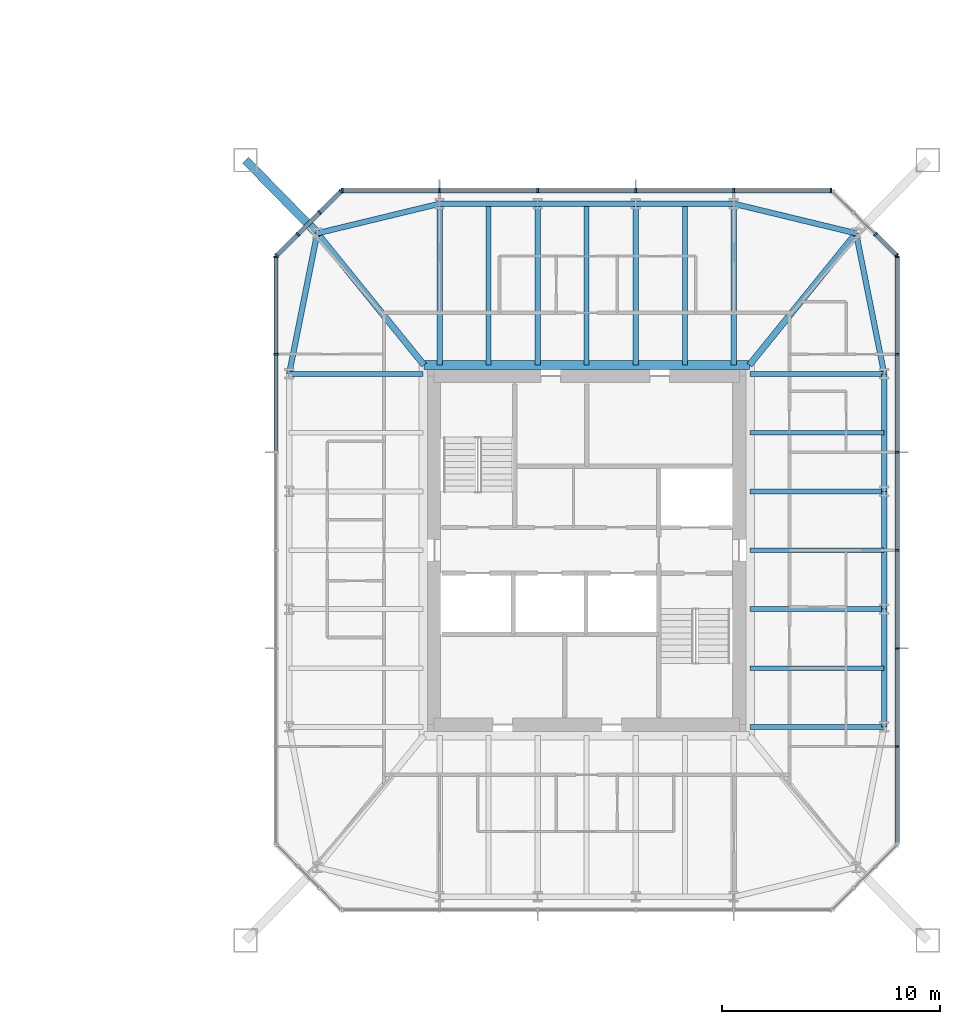
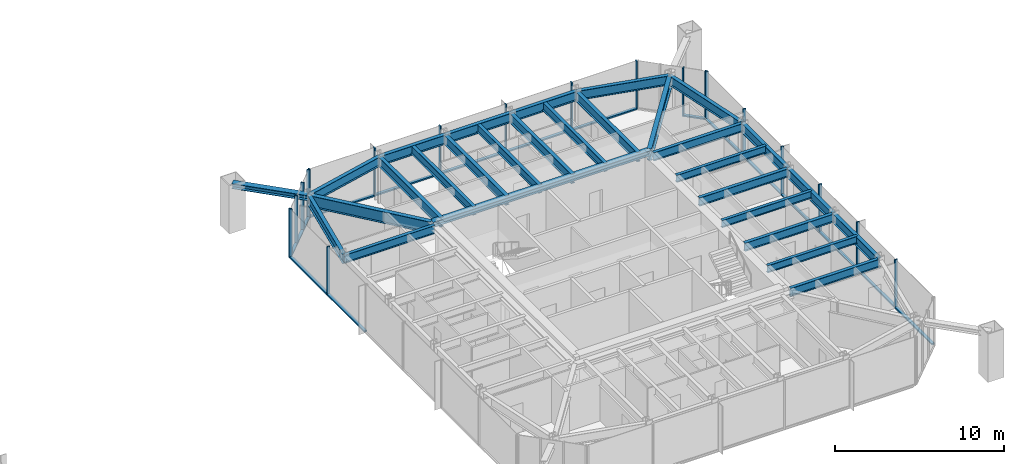
# One storey, part 9 of 25: 38 members, 28 beams, 5 elements without a shape of their own.
"""IFC4 building model written with IfcOpenShell, lengths in metres."""

from ifc_helpers import new_model, si_unit, direction, frame, origin, origin_2d, place, context, subcontext, project, spatial, rectangle, i_section, extrude, material, material_profile, profile_set, type_object, element, aggregate, save


model = new_model("IFC4")

# Units and contexts
model_context = context("Model", 3, precision=1e-05, world=origin(), true_north=direction((0.0, 1.0)))
body_context = subcontext(model_context, "Body", "Model", "MODEL_VIEW")
ifc_project = project(units=[si_unit("LENGTHUNIT", "METRE"), si_unit("AREAUNIT", "SQUARE_METRE"), si_unit("VOLUMEUNIT", "CUBIC_METRE"), si_unit("PLANEANGLEUNIT", "RADIAN"), si_unit("MASSUNIT", "GRAM", prefix="KILO")], contexts=[model_context])

# Site, building, storey
site_placement = place(None, origin())
site = spatial("IfcSite", under=ifc_project, at=site_placement, CompositionType="ELEMENT")
building_placement = place(site_placement, origin())
building = spatial("IfcBuilding", under=site, at=building_placement, Name="Iwan Alto Co-Living Towers", CompositionType="ELEMENT")
storey_placement = place(building_placement, frame((0.0, 0.0, 105.0)))
storey = spatial("IfcBuildingStorey", under=building, at=storey_placement, Name="L28", CompositionType="ELEMENT", Elevation=105.0)

# Curtain wall, members
ifc_material_1 = material(Name="Bronze aluminium unitised frame", Category="aluminium")
curtain_wall_type_1 = type_object("IfcCurtainWallType", Name="CURTAIN WALL CW-C", PredefinedType="NOTDEFINED", material=ifc_material_1)
curtain_wall_1_placement = place(storey_placement, origin())
curtain_wall_1 = element("IfcCurtainWall", 1, at=curtain_wall_1_placement, inside=storey, type_object=curtain_wall_type_1, Name="T2 curtain wall E L28", PredefinedType="NOTDEFINED")
ifc_material_2 = material(Name="Aluminium 6063-T6 bronze anodised", Category="aluminium")
ifc_material_profile_1 = material_profile(ifc_material_2, rectangle(XDim=0.199951171875, YDim=0.080078125, at=origin_2d()), Name="AL 80X200")
ifc_profile_set_1 = profile_set([ifc_material_profile_1], Name="Aluminium 6063-T6 bronze anodised")
member_type_1 = type_object("IfcMemberType", Name="CW-C MULLION 80X200", PredefinedType="MULLION", material=ifc_profile_set_1)
member_1_placement = place(storey_placement, frame((77.25, -9.0, 0.0), z_axis=(0.0, 0.0, 1.0), x_axis=(-1.0, 0.0, 0.0)))
member_1 = element("IfcMember", 2, at=member_1_placement, type_object=member_type_1, Name="CW-C mullion 2", PredefinedType="MULLION", context=body_context, shape_type="SweptSolid", body=[
    extrude(rectangle(XDim=0.199951171875, YDim=0.080078125, at=origin_2d()), origin(), (0.0, 0.0, 1.0), 3.5),
])
member_2_placement = place(storey_placement, frame((77.25, -4.5, 0.0), z_axis=(0.0, 0.0, 1.0), x_axis=(-1.0, 0.0, 0.0)))
member_2 = element("IfcMember", 3, at=member_2_placement, type_object=member_type_1, Name="CW-C mullion 3", PredefinedType="MULLION", context=body_context, shape_type="SweptSolid", body=[
    extrude(rectangle(XDim=0.199951171875, YDim=0.080078125, at=origin_2d()), origin(), (0.0, 0.0, 1.0), 3.5),
])
member_3_placement = place(storey_placement, frame((77.25, 0.0, 0.0), z_axis=(0.0, 0.0, 1.0), x_axis=(-1.0, 0.0, 0.0)))
member_3 = element("IfcMember", 4, at=member_3_placement, type_object=member_type_1, Name="CW-C mullion 4", PredefinedType="MULLION", context=body_context, shape_type="SweptSolid", body=[
    extrude(rectangle(XDim=0.199951171875, YDim=0.080078125, at=origin_2d()), origin(), (0.0, 0.0, 1.0), 3.5),
])
member_4_placement = place(storey_placement, frame((77.25, 4.5, 0.0), z_axis=(0.0, 0.0, 1.0), x_axis=(-1.0, 0.0, 0.0)))
member_4 = element("IfcMember", 5, at=member_4_placement, type_object=member_type_1, Name="CW-C mullion 5", PredefinedType="MULLION", context=body_context, shape_type="SweptSolid", body=[
    extrude(rectangle(XDim=0.199951171875, YDim=0.080078125, at=origin_2d()), origin(), (0.0, 0.0, 1.0), 3.5),
])
member_5_placement = place(storey_placement, frame((77.25, 9.0, 0.0), z_axis=(0.0, 0.0, 1.0), x_axis=(-1.0, 0.0, 0.0)))
member_5 = element("IfcMember", 6, at=member_5_placement, type_object=member_type_1, Name="CW-C mullion 6", PredefinedType="MULLION", context=body_context, shape_type="SweptSolid", body=[
    extrude(rectangle(XDim=0.199951171875, YDim=0.080078125, at=origin_2d()), origin(), (0.0, 0.0, 1.0), 3.5),
])
member_6_placement = place(storey_placement, frame((77.25, 13.4599609375, 0.0), z_axis=(0.0, 0.0, 1.0), x_axis=(-1.0, 0.0, 0.0)))
member_6 = element("IfcMember", 7, at=member_6_placement, type_object=member_type_1, Name="CW-C mullion 7", PredefinedType="MULLION", context=body_context, shape_type="SweptSolid", body=[
    extrude(rectangle(XDim=0.199951171875, YDim=0.080078125, at=origin_2d()), origin(), (0.0, 0.0, 1.0), 3.5),
])

curtain_wall_2_placement = place(storey_placement, origin())
curtain_wall_2 = element("IfcCurtainWall", 8, at=curtain_wall_2_placement, inside=storey, type_object=curtain_wall_type_1, Name="T2 curtain wall N L28", PredefinedType="NOTDEFINED")
member_7_placement = place(storey_placement, frame((74.2099609375, 16.5, 0.0), z_axis=(0.0, 0.0, 1.0), x_axis=(0.0, -1.0, 0.0)))
member_7 = element("IfcMember", 9, at=member_7_placement, type_object=member_type_1, Name="CW-C mullion 1", PredefinedType="MULLION", context=body_context, shape_type="SweptSolid", body=[
    extrude(rectangle(XDim=0.199951171875, YDim=0.080078125, at=origin_2d()), origin(), (0.0, 0.0, 1.0), 3.5),
])
member_8_placement = place(storey_placement, frame((69.75, 16.5, 0.0), z_axis=(0.0, 0.0, 1.0), x_axis=(0.0, -1.0, 0.0)))
member_8 = element("IfcMember", 10, at=member_8_placement, type_object=member_type_1, Name="CW-C mullion 2", PredefinedType="MULLION", context=body_context, shape_type="SweptSolid", body=[
    extrude(rectangle(XDim=0.199951171875, YDim=0.080078125, at=origin_2d()), origin(), (0.0, 0.0, 1.0), 3.5),
])
member_9_placement = place(storey_placement, frame((65.25, 16.5, 0.0), z_axis=(0.0, 0.0, 1.0), x_axis=(0.0, -1.0, 0.0)))
member_9 = element("IfcMember", 11, at=member_9_placement, type_object=member_type_1, Name="CW-C mullion 3", PredefinedType="MULLION", context=body_context, shape_type="SweptSolid", body=[
    extrude(rectangle(XDim=0.199951171875, YDim=0.080078125, at=origin_2d()), origin(), (0.0, 0.0, 1.0), 3.5),
])
member_10_placement = place(storey_placement, frame((60.75, 16.5, 0.0), z_axis=(0.0, 0.0, 1.0), x_axis=(0.0, -1.0, 0.0)))
member_10 = element("IfcMember", 12, at=member_10_placement, type_object=member_type_1, Name="CW-C mullion 4", PredefinedType="MULLION", context=body_context, shape_type="SweptSolid", body=[
    extrude(rectangle(XDim=0.199951171875, YDim=0.080078125, at=origin_2d()), origin(), (0.0, 0.0, 1.0), 3.5),
])
member_11_placement = place(storey_placement, frame((56.25, 16.5, 0.0), z_axis=(0.0, 0.0, 1.0), x_axis=(0.0, -1.0, 0.0)))
member_11 = element("IfcMember", 13, at=member_11_placement, type_object=member_type_1, Name="CW-C mullion 5", PredefinedType="MULLION", context=body_context, shape_type="SweptSolid", body=[
    extrude(rectangle(XDim=0.199951171875, YDim=0.080078125, at=origin_2d()), origin(), (0.0, 0.0, 1.0), 3.5),
])
member_12_placement = place(storey_placement, frame((51.7900390625, 16.5, 0.0), z_axis=(0.0, 0.0, 1.0), x_axis=(0.0, -1.0, 0.0)))
member_12 = element("IfcMember", 14, at=member_12_placement, type_object=member_type_1, Name="CW-C mullion 6", PredefinedType="MULLION", context=body_context, shape_type="SweptSolid", body=[
    extrude(rectangle(XDim=0.199951171875, YDim=0.080078125, at=origin_2d()), origin(), (0.0, 0.0, 1.0), 3.5),
])

curtain_wall_3_placement = place(storey_placement, origin())
curtain_wall_3 = element("IfcCurtainWall", 15, at=curtain_wall_3_placement, inside=storey, type_object=curtain_wall_type_1, Name="T2 curtain wall W L28", PredefinedType="NOTDEFINED")
member_13_placement = place(storey_placement, frame((48.75, 13.4599609375, 0.0), z_axis=(0.0, 0.0, 1.0), x_axis=(1.0, 0.0, 0.0)))
member_13 = element("IfcMember", 16, at=member_13_placement, type_object=member_type_1, Name="CW-C mullion 1", PredefinedType="MULLION", context=body_context, shape_type="SweptSolid", body=[
    extrude(rectangle(XDim=0.199951171875, YDim=0.080078125, at=origin_2d()), origin(), (0.0, 0.0, 1.0), 3.5),
])
member_14_placement = place(storey_placement, frame((48.75, 9.0, 0.0), z_axis=(0.0, 0.0, 1.0), x_axis=(1.0, 0.0, 0.0)))
member_14 = element("IfcMember", 17, at=member_14_placement, type_object=member_type_1, Name="CW-C mullion 2", PredefinedType="MULLION", context=body_context, shape_type="SweptSolid", body=[
    extrude(rectangle(XDim=0.199951171875, YDim=0.080078125, at=origin_2d()), origin(), (0.0, 0.0, 1.0), 3.5),
])

# Member
ifc_material_3 = material(Name="Aluminium 6063-T6 bronze anodised", Category="aluminium")
ifc_material_profile_2 = material_profile(ifc_material_3, rectangle(XDim=0.199951171875, YDim=0.10009765625, at=origin_2d()), Name="AL 200X100")
ifc_profile_set_2 = profile_set([ifc_material_profile_2], Name="Aluminium 6063-T6 bronze anodised")
member_type_2 = type_object("IfcMemberType", Name="CW-C TRANSOM 200X100", PredefinedType="USERDEFINED", material=ifc_profile_set_2)
member_15_placement = place(storey_placement, frame((77.25, -13.419921875, 0.050048828125), z_axis=(0.0, 1.0, 0.0), x_axis=(-1.0, 0.0, 0.0)))
member_15 = element("IfcMember", 18, at=member_15_placement, type_object=member_type_2, Name="CW-C transom 1.1", ObjectType="TRANSOM", PredefinedType="USERDEFINED", context=body_context, shape_type="SweptSolid", body=[
    extrude(rectangle(XDim=0.199951171875, YDim=0.10009765625, at=origin_2d()), origin(), (0.0, 0.0, 1.0), 4.3798828125),
])

member_16_placement = place(storey_placement, frame((77.25, -8.9599609375, 0.050048828125), z_axis=(0.0, 1.0, 0.0), x_axis=(-1.0, 0.0, 0.0)))
member_16 = element("IfcMember", 19, at=member_16_placement, type_object=member_type_2, Name="CW-C transom 2.1", ObjectType="TRANSOM", PredefinedType="USERDEFINED", context=body_context, shape_type="SweptSolid", body=[
    extrude(rectangle(XDim=0.199951171875, YDim=0.10009765625, at=origin_2d()), origin(), (0.0, 0.0, 1.0), 4.419921875),
])

member_17_placement = place(storey_placement, frame((77.25, -4.4599609375, 0.050048828125), z_axis=(0.0, 1.0, 0.0), x_axis=(-1.0, 0.0, 0.0)))
member_17 = element("IfcMember", 20, at=member_17_placement, type_object=member_type_2, Name="CW-C transom 3.1", ObjectType="TRANSOM", PredefinedType="USERDEFINED", context=body_context, shape_type="SweptSolid", body=[
    extrude(rectangle(XDim=0.199951171875, YDim=0.10009765625, at=origin_2d()), origin(), (0.0, 0.0, 1.0), 4.419921875),
])

member_18_placement = place(storey_placement, frame((77.25, 0.0400390625, 0.050048828125), z_axis=(0.0, 1.0, 0.0), x_axis=(-1.0, 0.0, 0.0)))
member_18 = element("IfcMember", 21, at=member_18_placement, type_object=member_type_2, Name="CW-C transom 4.1", ObjectType="TRANSOM", PredefinedType="USERDEFINED", context=body_context, shape_type="SweptSolid", body=[
    extrude(rectangle(XDim=0.199951171875, YDim=0.10009765625, at=origin_2d()), origin(), (0.0, 0.0, 1.0), 4.419921875),
])

member_19_placement = place(storey_placement, frame((77.25, 4.5400390625, 0.050048828125), z_axis=(0.0, 1.0, 0.0), x_axis=(-1.0, 0.0, 0.0)))
member_19 = element("IfcMember", 22, at=member_19_placement, type_object=member_type_2, Name="CW-C transom 5.1", ObjectType="TRANSOM", PredefinedType="USERDEFINED", context=body_context, shape_type="SweptSolid", body=[
    extrude(rectangle(XDim=0.199951171875, YDim=0.10009765625, at=origin_2d()), origin(), (0.0, 0.0, 1.0), 4.419921875),
])

member_20_placement = place(storey_placement, frame((77.25, 9.0400390625, 0.050048828125), z_axis=(0.0, 1.0, 0.0), x_axis=(-1.0, 0.0, 0.0)))
member_20 = element("IfcMember", 23, at=member_20_placement, type_object=member_type_2, Name="CW-C transom 6.1", ObjectType="TRANSOM", PredefinedType="USERDEFINED", context=body_context, shape_type="SweptSolid", body=[
    extrude(rectangle(XDim=0.199951171875, YDim=0.10009765625, at=origin_2d()), origin(), (0.0, 0.0, 1.0), 4.3798828125),
])

aggregate(curtain_wall_1, [member_1, member_2, member_3, member_4, member_5, member_6, member_15, member_16, member_17, member_18, member_19, member_20])

member_21_placement = place(storey_placement, frame((74.169921875, 16.5, 0.050048828125), z_axis=(-1.0, 0.0, 0.0), x_axis=(0.0, -1.0, 0.0)))
member_21 = element("IfcMember", 24, at=member_21_placement, type_object=member_type_2, Name="CW-C transom 1.1", ObjectType="TRANSOM", PredefinedType="USERDEFINED", context=body_context, shape_type="SweptSolid", body=[
    extrude(rectangle(XDim=0.199951171875, YDim=0.10009765625, at=origin_2d()), origin(), (0.0, 0.0, 1.0), 4.3798828125),
])

member_22_placement = place(storey_placement, frame((69.7099609375, 16.5, 0.050048828125), z_axis=(-1.0, 0.0, 0.0), x_axis=(0.0, -1.0, 0.0)))
member_22 = element("IfcMember", 25, at=member_22_placement, type_object=member_type_2, Name="CW-C transom 2.1", ObjectType="TRANSOM", PredefinedType="USERDEFINED", context=body_context, shape_type="SweptSolid", body=[
    extrude(rectangle(XDim=0.199951171875, YDim=0.10009765625, at=origin_2d()), origin(), (0.0, 0.0, 1.0), 4.419921875),
])

member_23_placement = place(storey_placement, frame((65.2099609375, 16.5, 0.050048828125), z_axis=(-1.0, 0.0, 0.0), x_axis=(0.0, -1.0, 0.0)))
member_23 = element("IfcMember", 26, at=member_23_placement, type_object=member_type_2, Name="CW-C transom 3.1", ObjectType="TRANSOM", PredefinedType="USERDEFINED", context=body_context, shape_type="SweptSolid", body=[
    extrude(rectangle(XDim=0.199951171875, YDim=0.10009765625, at=origin_2d()), origin(), (0.0, 0.0, 1.0), 4.419921875),
])

member_24_placement = place(storey_placement, frame((60.7099609375, 16.5, 0.050048828125), z_axis=(-1.0, 0.0, 0.0), x_axis=(0.0, -1.0, 0.0)))
member_24 = element("IfcMember", 27, at=member_24_placement, type_object=member_type_2, Name="CW-C transom 4.1", ObjectType="TRANSOM", PredefinedType="USERDEFINED", context=body_context, shape_type="SweptSolid", body=[
    extrude(rectangle(XDim=0.199951171875, YDim=0.10009765625, at=origin_2d()), origin(), (0.0, 0.0, 1.0), 4.419921875),
])

member_25_placement = place(storey_placement, frame((56.2099609375, 16.5, 0.050048828125), z_axis=(-1.0, 0.0, 0.0), x_axis=(0.0, -1.0, 0.0)))
member_25 = element("IfcMember", 28, at=member_25_placement, type_object=member_type_2, Name="CW-C transom 5.1", ObjectType="TRANSOM", PredefinedType="USERDEFINED", context=body_context, shape_type="SweptSolid", body=[
    extrude(rectangle(XDim=0.199951171875, YDim=0.10009765625, at=origin_2d()), origin(), (0.0, 0.0, 1.0), 4.3798828125),
])

aggregate(curtain_wall_2, [member_7, member_8, member_9, member_10, member_11, member_12, member_21, member_22, member_23, member_24, member_25])

member_26_placement = place(storey_placement, frame((48.75, 13.419921875, 0.050048828125), z_axis=(0.0, -1.0, 0.0), x_axis=(1.0, 0.0, 0.0)))
member_26 = element("IfcMember", 29, at=member_26_placement, type_object=member_type_2, Name="CW-C transom 1.1", ObjectType="TRANSOM", PredefinedType="USERDEFINED", context=body_context, shape_type="SweptSolid", body=[
    extrude(rectangle(XDim=0.199951171875, YDim=0.10009765625, at=origin_2d()), origin(), (0.0, 0.0, 1.0), 4.3798828125),
])

member_27_placement = place(storey_placement, frame((48.75, 8.9599609375, 0.050048828125), z_axis=(0.0, -1.0, 0.0), x_axis=(1.0, 0.0, 0.0)))
member_27 = element("IfcMember", 30, at=member_27_placement, type_object=member_type_2, Name="CW-C transom 2.1", ObjectType="TRANSOM", PredefinedType="USERDEFINED", context=body_context, shape_type="SweptSolid", body=[
    extrude(rectangle(XDim=0.199951171875, YDim=0.10009765625, at=origin_2d()), origin(), (0.0, 0.0, 1.0), 4.419921875),
])

aggregate(curtain_wall_3, [member_13, member_14, member_26, member_27])

# Curtain wall, members
ifc_material_4 = material(Name="Bronze aluminium unitised frame", Category="aluminium")
curtain_wall_type_2 = type_object("IfcCurtainWallType", Name="CURTAIN WALL CW-D", PredefinedType="NOTDEFINED", material=ifc_material_4)
curtain_wall_4_placement = place(storey_placement, origin())
curtain_wall_4 = element("IfcCurtainWall", 31, at=curtain_wall_4_placement, inside=storey, type_object=curtain_wall_type_2, Name="T2 chamfer curtain wall NE L28", PredefinedType="NOTDEFINED")
ifc_material_5 = material(Name="Aluminium 6063-T6 bronze anodised", Category="aluminium")
ifc_material_profile_3 = material_profile(ifc_material_5, rectangle(XDim=0.199951171875, YDim=0.080078125, at=origin_2d()), Name="AL 80X200")
ifc_profile_set_3 = profile_set([ifc_material_profile_3], Name="Aluminium 6063-T6 bronze anodised")
member_type_3 = type_object("IfcMemberType", Name="CW-D MULLION 80X200", PredefinedType="MULLION", material=ifc_profile_set_3)
member_28_placement = place(storey_placement, frame((77.2216796875, 13.5283203125, 0.0), z_axis=(0.0, 0.0, 1.0), x_axis=(-0.707106781187, -0.707106781187, 0.0)))
member_28 = element("IfcMember", 32, at=member_28_placement, type_object=member_type_3, Name="CW-D mullion 1", PredefinedType="MULLION", context=body_context, shape_type="SweptSolid", body=[
    extrude(rectangle(XDim=0.199951171875, YDim=0.080078125, at=origin_2d()), origin(), (0.0, 0.0, 1.0), 3.5),
])
member_29_placement = place(storey_placement, frame((76.25, 14.5, 0.0), z_axis=(0.0, 0.0, 1.0), x_axis=(-0.707106781187, -0.707106781187, 0.0)))
member_29 = element("IfcMember", 33, at=member_29_placement, type_object=member_type_3, Name="CW-D mullion 2", PredefinedType="MULLION", context=body_context, shape_type="SweptSolid", body=[
    extrude(rectangle(XDim=0.199951171875, YDim=0.080078125, at=origin_2d()), origin(), (0.0, 0.0, 1.0), 3.5),
])

curtain_wall_5_placement = place(storey_placement, origin())
curtain_wall_5 = element("IfcCurtainWall", 34, at=curtain_wall_5_placement, inside=storey, type_object=curtain_wall_type_2, Name="T2 chamfer curtain wall NW L28", PredefinedType="NOTDEFINED")
member_30_placement = place(storey_placement, frame((51.7216796875, 16.4716796875, 0.0), z_axis=(0.0, 0.0, 1.0), x_axis=(0.707106781187, -0.707106781187, 0.0)))
member_30 = element("IfcMember", 35, at=member_30_placement, type_object=member_type_3, Name="CW-D mullion 1", PredefinedType="MULLION", context=body_context, shape_type="SweptSolid", body=[
    extrude(rectangle(XDim=0.199951171875, YDim=0.080078125, at=origin_2d()), origin(), (0.0, 0.0, 1.0), 3.5),
])
member_31_placement = place(storey_placement, frame((50.75, 15.5, 0.0), z_axis=(0.0, 0.0, 1.0), x_axis=(0.707106781187, -0.707106781187, 0.0)))
member_31 = element("IfcMember", 36, at=member_31_placement, type_object=member_type_3, Name="CW-D mullion 2", PredefinedType="MULLION", context=body_context, shape_type="SweptSolid", body=[
    extrude(rectangle(XDim=0.199951171875, YDim=0.080078125, at=origin_2d()), origin(), (0.0, 0.0, 1.0), 3.5),
])
member_32_placement = place(storey_placement, frame((49.75, 14.5, 0.0), z_axis=(0.0, 0.0, 1.0), x_axis=(0.707106781187, -0.707106781187, 0.0)))
member_32 = element("IfcMember", 37, at=member_32_placement, type_object=member_type_3, Name="CW-D mullion 3", PredefinedType="MULLION", context=body_context, shape_type="SweptSolid", body=[
    extrude(rectangle(XDim=0.199951171875, YDim=0.080078125, at=origin_2d()), origin(), (0.0, 0.0, 1.0), 3.5),
])
member_33_placement = place(storey_placement, frame((48.7783203125, 13.5283203125, 0.0), z_axis=(0.0, 0.0, 1.0), x_axis=(0.707106781187, -0.707106781187, 0.0)))
member_33 = element("IfcMember", 38, at=member_33_placement, type_object=member_type_3, Name="CW-D mullion 4", PredefinedType="MULLION", context=body_context, shape_type="SweptSolid", body=[
    extrude(rectangle(XDim=0.199951171875, YDim=0.080078125, at=origin_2d()), origin(), (0.0, 0.0, 1.0), 3.5),
])

# Member
ifc_material_6 = material(Name="Aluminium 6063-T6 bronze anodised", Category="aluminium")
ifc_material_profile_4 = material_profile(ifc_material_6, rectangle(XDim=0.199951171875, YDim=0.10009765625, at=origin_2d()), Name="AL 200X100")
ifc_profile_set_4 = profile_set([ifc_material_profile_4], Name="Aluminium 6063-T6 bronze anodised")
member_type_4 = type_object("IfcMemberType", Name="CW-D TRANSOM 200X100", PredefinedType="USERDEFINED", material=ifc_profile_set_4)
member_34_placement = place(storey_placement, frame((77.193359375, 13.556640625, 0.050048828125), z_axis=(-0.707106781187, 0.707106781187, 0.0), x_axis=(-0.707106781187, -0.707106781187, 0.0)))
member_34 = element("IfcMember", 39, at=member_34_placement, type_object=member_type_4, Name="CW-D transom 1.1", ObjectType="TRANSOM", PredefinedType="USERDEFINED", context=body_context, shape_type="SweptSolid", body=[
    extrude(rectangle(XDim=0.199951171875, YDim=0.10009765625, at=origin_2d()), origin(), (0.0, 0.0, 1.0), 1.2939453125),
])

aggregate(curtain_wall_4, [member_28, member_29, member_34])

member_35_placement = place(storey_placement, frame((51.693359375, 16.443359375, 0.050048828125), z_axis=(-0.707106781187, -0.707106781187, 0.0), x_axis=(0.707106781187, -0.707106781187, 0.0)))
member_35 = element("IfcMember", 40, at=member_35_placement, type_object=member_type_4, Name="CW-D transom 1.1", ObjectType="TRANSOM", PredefinedType="USERDEFINED", context=body_context, shape_type="SweptSolid", body=[
    extrude(rectangle(XDim=0.199951171875, YDim=0.10009765625, at=origin_2d()), origin(), (0.0, 0.0, 1.0), 1.2939453125),
])

member_36_placement = place(storey_placement, frame((50.7216796875, 15.4716796875, 0.050048828125), z_axis=(-0.707106781187, -0.707106781187, 0.0), x_axis=(0.707106781187, -0.707106781187, 0.0)))
member_36 = element("IfcMember", 41, at=member_36_placement, type_object=member_type_4, Name="CW-D transom 2.1", ObjectType="TRANSOM", PredefinedType="USERDEFINED", context=body_context, shape_type="SweptSolid", body=[
    extrude(rectangle(XDim=0.199951171875, YDim=0.10009765625, at=origin_2d()), origin(), (0.0, 0.0, 1.0), 1.334228515625),
])

member_37_placement = place(storey_placement, frame((49.7216796875, 14.4716796875, 0.050048828125), z_axis=(-0.707106781187, -0.707106781187, 0.0), x_axis=(0.707106781187, -0.707106781187, 0.0)))
member_37 = element("IfcMember", 42, at=member_37_placement, type_object=member_type_4, Name="CW-D transom 3.1", ObjectType="TRANSOM", PredefinedType="USERDEFINED", context=body_context, shape_type="SweptSolid", body=[
    extrude(rectangle(XDim=0.199951171875, YDim=0.10009765625, at=origin_2d()), origin(), (0.0, 0.0, 1.0), 1.2939453125),
])

aggregate(curtain_wall_5, [member_30, member_31, member_32, member_33, member_35, member_36, member_37])

# Beams
ifc_material_7 = material(Name="Steel ASTM A992 Gr 50", Category="steel")
ifc_material_profile_5 = material_profile(ifc_material_7, i_section(OverallWidth=0.398681640625, OverallDepth=0.385986328125, WebThickness=0.02099609375, FlangeThickness=0.033203125, at=origin_2d()), Name="W14X176")
ifc_profile_set_5 = profile_set([ifc_material_profile_5], Name="Steel ASTM A992 Gr 50")
beam_type_1 = type_object("IfcBeamType", Name="T2 CORE LEDGER BEAM W14X176", PredefinedType="BEAM", material=ifc_profile_set_5)
beam_1_placement = place(storey_placement, frame((70.461669921875, 8.49951171875, 3.076904296875), z_axis=(-1.0, 0.0, 0.0), x_axis=(0.0, -1.0, 0.0)))
element("IfcBeam", 43, at=beam_1_placement, inside=storey, type_object=beam_type_1, Name="T2 core ledger beam N L29", PredefinedType="BEAM", context=body_context, shape_type="SweptSolid", body=[
    extrude(i_section(OverallWidth=0.398681640625, OverallDepth=0.385986328125, WebThickness=0.02099609375, FlangeThickness=0.033203125, at=origin_2d()), origin(), (0.0, 0.0, 1.0), 14.92333984375),
])
ifc_material_8 = material(Name="Steel ASTM A992 Gr 50", Category="steel")
ifc_material_profile_6 = material_profile(ifc_material_8, i_section(OverallWidth=0.2919921875, OverallDepth=0.8408203125, WebThickness=0.0146484375, FlangeThickness=0.021728515625, at=origin_2d()), Name="W33X130")
ifc_profile_set_6 = profile_set([ifc_material_profile_6], Name="Steel ASTM A992 Gr 50")
beam_type_2 = type_object("IfcBeamType", Name="T2 CORNER GIRDER W33X130", PredefinedType="BEAM", material=ifc_profile_set_6)
for number, where, z_axis, x_axis, name in (
    (44, (75.361328125, 14.542724609375, 2.849609375), (-0.629783024592, -0.776771100091, 0.0), (0.776771100091, -0.629783024592, 0.0), "T2 corner girder CNE L29"),
    (45, (50.638671875, 14.542724609375, 2.849609375), (0.629783024592, -0.776771100091, 0.0), (0.776771100091, 0.629783024592, 0.0), "T2 corner girder CNW L29"),
):
    element("IfcBeam", number, at=place(storey_placement, frame(where, z_axis=z_axis, x_axis=x_axis)), inside=storey, type_object=beam_type_2, Name=name, PredefinedType="BEAM", context=body_context, shape_type="SweptSolid", body=[
        extrude(i_section(OverallWidth=0.2919921875, OverallDepth=0.8408203125, WebThickness=0.0146484375, FlangeThickness=0.021728515625, at=origin_2d()), origin(), (0.0, 0.0, 1.0), 7.780029296875),
    ])
ifc_material_9 = material(Name="Steel ASTM A992 Gr 50", Category="steel")
ifc_material_profile_7 = material_profile(ifc_material_9, i_section(OverallWidth=0.25390625, OverallDepth=0.683349609375, WebThickness=0.012451171875, FlangeThickness=0.018798828125, at=origin_2d()), Name="W27X94")
ifc_profile_set_7 = profile_set([ifc_material_profile_7], Name="Steel ASTM A992 Gr 50")
beam_type_3 = type_object("IfcBeamType", Name="T2 EDGE BEAM W27X94", PredefinedType="BEAM", material=ifc_profile_set_7)
beam_2_placement = place(storey_placement, frame((76.64990234375, -8.10009765625, 2.928466796875), z_axis=(0.0, 1.0, 0.0), x_axis=(-1.0, 0.0, 0.0)))
element("IfcBeam", 46, at=beam_2_placement, inside=storey, type_object=beam_type_3, Name="T2 edge beam E1 L29", PredefinedType="BEAM", context=body_context, shape_type="SweptSolid", body=[
    extrude(i_section(OverallWidth=0.25390625, OverallDepth=0.683349609375, WebThickness=0.012451171875, FlangeThickness=0.018798828125, at=origin_2d()), origin(), (0.0, 0.0, 1.0), 5.400146484375),
])
beam_3_placement = place(storey_placement, frame((76.64990234375, -2.699951171875, 2.928466796875), z_axis=(0.0, 1.0, 0.0), x_axis=(-1.0, 0.0, 0.0)))
element("IfcBeam", 47, at=beam_3_placement, inside=storey, type_object=beam_type_3, Name="T2 edge beam E2 L29", PredefinedType="BEAM", context=body_context, shape_type="SweptSolid", body=[
    extrude(i_section(OverallWidth=0.25390625, OverallDepth=0.683349609375, WebThickness=0.012451171875, FlangeThickness=0.018798828125, at=origin_2d()), origin(), (0.0, 0.0, 1.0), 5.39990234375),
])
beam_4_placement = place(storey_placement, frame((76.64990234375, 2.699951171875, 2.928466796875), z_axis=(0.0, 1.0, 0.0), x_axis=(-1.0, 0.0, 0.0)))
element("IfcBeam", 48, at=beam_4_placement, inside=storey, type_object=beam_type_3, Name="T2 edge beam E3 L29", PredefinedType="BEAM", context=body_context, shape_type="SweptSolid", body=[
    extrude(i_section(OverallWidth=0.25390625, OverallDepth=0.683349609375, WebThickness=0.012451171875, FlangeThickness=0.018798828125, at=origin_2d()), origin(), (0.0, 0.0, 1.0), 5.400146484375),
])
beam_5_placement = place(storey_placement, frame((76.64990234375, 8.10009765625, 2.928466796875), z_axis=(-0.196123281025, 0.980579246487, 0.0), x_axis=(-0.980579246487, -0.196123281025, 0.0)))
element("IfcBeam", 49, at=beam_5_placement, inside=storey, type_object=beam_type_3, Name="T2 edge beam E4 L29", PredefinedType="BEAM", context=body_context, shape_type="SweptSolid", body=[
    extrude(i_section(OverallWidth=0.25390625, OverallDepth=0.683349609375, WebThickness=0.012451171875, FlangeThickness=0.018798828125, at=origin_2d()), origin(), (0.0, 0.0, 1.0), 6.5703125),
])
beam_6_placement = place(storey_placement, frame((75.361328125, 14.542724609375, 2.928466796875), z_axis=(-0.971974673138, 0.235085590323, 0.0), x_axis=(-0.235085590323, -0.971974673138, 0.0)))
element("IfcBeam", 50, at=beam_6_placement, inside=storey, type_object=beam_type_3, Name="T2 edge beam CNE L29", PredefinedType="BEAM", context=body_context, shape_type="SweptSolid", body=[
    extrude(i_section(OverallWidth=0.25390625, OverallDepth=0.683349609375, WebThickness=0.012451171875, FlangeThickness=0.018798828125, at=origin_2d()), origin(), (0.0, 0.0, 1.0), 5.773193359375),
])
for number, where, z_axis, x_axis, name in (
    (51, (69.75, 15.89990234375, 2.928466796875), (-1.0, 0.0, 0.0), (0.0, -1.0, 0.0), "T2 edge beam N1 L29"),
    (52, (65.25, 15.89990234375, 2.928466796875), (-1.0, 0.0, 0.0), (0.0, -1.0, 0.0), "T2 edge beam N2 L29"),
    (53, (60.75, 15.89990234375, 2.928466796875), (-1.0, 0.0, 0.0), (0.0, -1.0, 0.0), "T2 edge beam N3 L29"),
):
    element("IfcBeam", number, at=place(storey_placement, frame(where, z_axis=z_axis, x_axis=x_axis)), inside=storey, type_object=beam_type_3, Name=name, PredefinedType="BEAM", context=body_context, shape_type="SweptSolid", body=[
        extrude(i_section(OverallWidth=0.25390625, OverallDepth=0.683349609375, WebThickness=0.012451171875, FlangeThickness=0.018798828125, at=origin_2d()), origin(), (0.0, 0.0, 1.0), 4.5),
    ])
beam_7_placement = place(storey_placement, frame((56.25, 15.89990234375, 2.928466796875), z_axis=(-0.971974673138, -0.235085590323, 0.0), x_axis=(0.235085590323, -0.971974673138, 0.0)))
element("IfcBeam", 54, at=beam_7_placement, inside=storey, type_object=beam_type_3, Name="T2 edge beam N4 L29", PredefinedType="BEAM", context=body_context, shape_type="SweptSolid", body=[
    extrude(i_section(OverallWidth=0.25390625, OverallDepth=0.683349609375, WebThickness=0.012451171875, FlangeThickness=0.018798828125, at=origin_2d()), origin(), (0.0, 0.0, 1.0), 5.773193359375),
])
beam_8_placement = place(storey_placement, frame((50.638671875, 14.542724609375, 2.928466796875), z_axis=(-0.196123281025, -0.980579246487, 0.0), x_axis=(0.980579246487, -0.196123281025, 0.0)))
element("IfcBeam", 55, at=beam_8_placement, inside=storey, type_object=beam_type_3, Name="T2 edge beam CNW L29", PredefinedType="BEAM", context=body_context, shape_type="SweptSolid", body=[
    extrude(i_section(OverallWidth=0.25390625, OverallDepth=0.683349609375, WebThickness=0.012451171875, FlangeThickness=0.018798828125, at=origin_2d()), origin(), (0.0, 0.0, 1.0), 6.5703125),
])

# Member
ifc_material_10 = material(Name="Steel ASTM A992 Gr 50", Category="steel")
ifc_material_profile_8 = material_profile(ifc_material_10, i_section(OverallWidth=0.393798828125, OverallDepth=0.3759765625, WebThickness=0.017333984375, FlangeThickness=0.027587890625, at=origin_2d()), Name="W14X145")
ifc_profile_set_8 = profile_set([ifc_material_profile_8], Name="Steel ASTM A992 Gr 50")
member_type_5 = type_object("IfcMemberType", Name="T2 MEGA COLUMN FLOOR TIE W14X145", PredefinedType="STRUT", material=ifc_profile_set_8)
member_38_placement = place(storey_placement, frame((47.35009765625, 17.89990234375, 3.08203125), z_axis=(0.699770096147, -0.714368121166, 0.0), x_axis=(0.714368121166, 0.699770096147, 0.0)))
element("IfcMember", 56, at=member_38_placement, inside=storey, type_object=member_type_5, Name="T2 mega column floor tie NW L29", PredefinedType="STRUT", context=body_context, shape_type="SweptSolid", body=[
    extrude(i_section(OverallWidth=0.393798828125, OverallDepth=0.3759765625, WebThickness=0.017333984375, FlangeThickness=0.027587890625, at=origin_2d()), origin(), (0.0, 0.0, 1.0), 4.699462890625),
])

# Beams
ifc_material_11 = material(Name="Steel ASTM A992 Gr 50", Category="steel")
ifc_material_profile_9 = material_profile(ifc_material_11, i_section(OverallWidth=0.228271484375, OverallDepth=0.607177734375, WebThickness=0.01123046875, FlangeThickness=0.017333984375, at=origin_2d()), Name="W24X76")
ifc_profile_set_9 = profile_set([ifc_material_profile_9], Name="Steel ASTM A992 Gr 50")
beam_type_4 = type_object("IfcBeamType", Name="T2 RADIAL BEAM W24X76", PredefinedType="BEAM", material=ifc_profile_set_9)
for number, where, z_axis, x_axis, name in (
    (57, (76.64990234375, -8.10009765625, 2.966552734375), (-1.0, 0.0, 0.0), (0.0, -1.0, 0.0), "T2 radial beam E1 L29"),
    (58, (76.64990234375, -2.699951171875, 2.966552734375), (-1.0, 0.0, 0.0), (0.0, -1.0, 0.0), "T2 radial beam E2 L29"),
    (59, (76.64990234375, 2.699951171875, 2.966552734375), (-1.0, 0.0, 0.0), (0.0, -1.0, 0.0), "T2 radial beam E3 L29"),
    (60, (76.64990234375, 8.10009765625, 2.966552734375), (-1.0, 0.0, 0.0), (0.0, -1.0, 0.0), "T2 radial beam E4 L29"),
    (61, (49.35009765625, 8.10009765625, 2.966552734375), (1.0, 0.0, 0.0), (0.0, 1.0, 0.0), "T2 radial beam W1 L29"),
):
    element("IfcBeam", number, at=place(storey_placement, frame(where, z_axis=z_axis, x_axis=x_axis)), inside=storey, type_object=beam_type_4, Name=name, PredefinedType="BEAM", context=body_context, shape_type="SweptSolid", body=[
        extrude(i_section(OverallWidth=0.228271484375, OverallDepth=0.607177734375, WebThickness=0.01123046875, FlangeThickness=0.017333984375, at=origin_2d()), origin(), (0.0, 0.0, 1.0), 6.150390625),
    ])
ifc_material_12 = material(Name="Steel ASTM A992 Gr 50", Category="steel")
ifc_material_profile_10 = material_profile(ifc_material_12, i_section(OverallWidth=0.25390625, OverallDepth=0.683349609375, WebThickness=0.012451171875, FlangeThickness=0.018798828125, at=origin_2d()), Name="W27X94")
ifc_profile_set_10 = profile_set([ifc_material_profile_10], Name="Steel ASTM A992 Gr 50")
beam_type_5 = type_object("IfcBeamType", Name="T2 RADIAL BEAM W27X94", PredefinedType="BEAM", material=ifc_profile_set_10)
for number, where, z_axis, x_axis, name in (
    (62, (69.75, 15.89990234375, 2.928466796875), (0.0, -1.0, 0.0), (1.0, 0.0, 0.0), "T2 radial beam N1 L29"),
    (63, (65.25, 15.89990234375, 2.928466796875), (0.0, -1.0, 0.0), (1.0, 0.0, 0.0), "T2 radial beam N2 L29"),
    (64, (60.75, 15.89990234375, 2.928466796875), (0.0, -1.0, 0.0), (1.0, 0.0, 0.0), "T2 radial beam N3 L29"),
    (65, (56.25, 15.89990234375, 2.928466796875), (0.0, -1.0, 0.0), (1.0, 0.0, 0.0), "T2 radial beam N4 L29"),
):
    element("IfcBeam", number, at=place(storey_placement, frame(where, z_axis=z_axis, x_axis=x_axis)), inside=storey, type_object=beam_type_5, Name=name, PredefinedType="BEAM", context=body_context, shape_type="SweptSolid", body=[
        extrude(i_section(OverallWidth=0.25390625, OverallDepth=0.683349609375, WebThickness=0.012451171875, FlangeThickness=0.018798828125, at=origin_2d()), origin(), (0.0, 0.0, 1.0), 7.400390625),
    ])
ifc_material_13 = material(Name="Steel ASTM A992 Gr 50", Category="steel")
ifc_material_profile_11 = material_profile(ifc_material_13, i_section(OverallWidth=0.209228515625, OverallDepth=0.533447265625, WebThickness=0.01025390625, FlangeThickness=0.015625, at=origin_2d()), Name="W21X62")
ifc_profile_set_11 = profile_set([ifc_material_profile_11], Name="Steel ASTM A992 Gr 50")
beam_type_6 = type_object("IfcBeamType", Name="T2 SECONDARY BEAM W21X62", PredefinedType="JOIST", material=ifc_profile_set_11)
for number, where, z_axis, x_axis, name in (
    (66, (76.64990234375, -5.39990234375, 3.00341796875), (-1.0, 0.0, 0.0), (0.0, -1.0, 0.0), "T2 secondary beam E1 L29"),
    (67, (76.64990234375, 0.0, 3.00341796875), (-1.0, 0.0, 0.0), (0.0, -1.0, 0.0), "T2 secondary beam E2 L29"),
    (68, (76.64990234375, 5.39990234375, 3.00341796875), (-1.0, 0.0, 0.0), (0.0, -1.0, 0.0), "T2 secondary beam E3 L29"),
):
    element("IfcBeam", number, at=place(storey_placement, frame(where, z_axis=z_axis, x_axis=x_axis)), inside=storey, type_object=beam_type_6, Name=name, PredefinedType="JOIST", context=body_context, shape_type="SweptSolid", body=[
        extrude(i_section(OverallWidth=0.209228515625, OverallDepth=0.533447265625, WebThickness=0.01025390625, FlangeThickness=0.015625, at=origin_2d()), origin(), (0.0, 0.0, 1.0), 6.150390625),
    ])
ifc_material_14 = material(Name="Steel ASTM A992 Gr 50", Category="steel")
ifc_material_profile_12 = material_profile(ifc_material_14, i_section(OverallWidth=0.228271484375, OverallDepth=0.607177734375, WebThickness=0.01123046875, FlangeThickness=0.017333984375, at=origin_2d()), Name="W24X76")
ifc_profile_set_12 = profile_set([ifc_material_profile_12], Name="Steel ASTM A992 Gr 50")
beam_type_7 = type_object("IfcBeamType", Name="T2 SECONDARY BEAM W24X76", PredefinedType="JOIST", material=ifc_profile_set_12)
for number, where, z_axis, x_axis, name in (
    (69, (67.5, 15.89990234375, 2.966552734375), (0.0, -1.0, 0.0), (1.0, 0.0, 0.0), "T2 secondary beam N1 L29"),
    (70, (63.0, 15.89990234375, 2.966552734375), (0.0, -1.0, 0.0), (1.0, 0.0, 0.0), "T2 secondary beam N2 L29"),
    (71, (58.5, 15.89990234375, 2.966552734375), (0.0, -1.0, 0.0), (1.0, 0.0, 0.0), "T2 secondary beam N3 L29"),
):
    element("IfcBeam", number, at=place(storey_placement, frame(where, z_axis=z_axis, x_axis=x_axis)), inside=storey, type_object=beam_type_7, Name=name, PredefinedType="JOIST", context=body_context, shape_type="SweptSolid", body=[
        extrude(i_section(OverallWidth=0.228271484375, OverallDepth=0.607177734375, WebThickness=0.01123046875, FlangeThickness=0.017333984375, at=origin_2d()), origin(), (0.0, 0.0, 1.0), 7.400390625),
    ])

save(model, "model.ifc")
